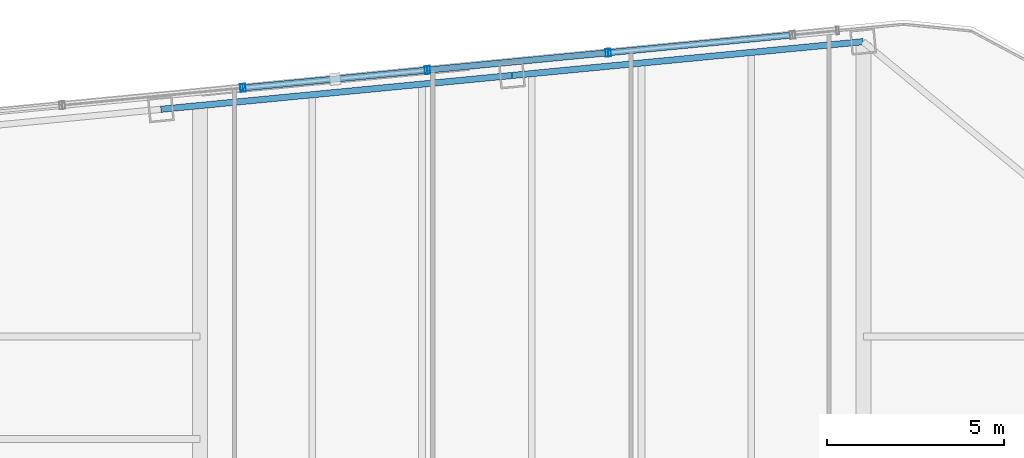
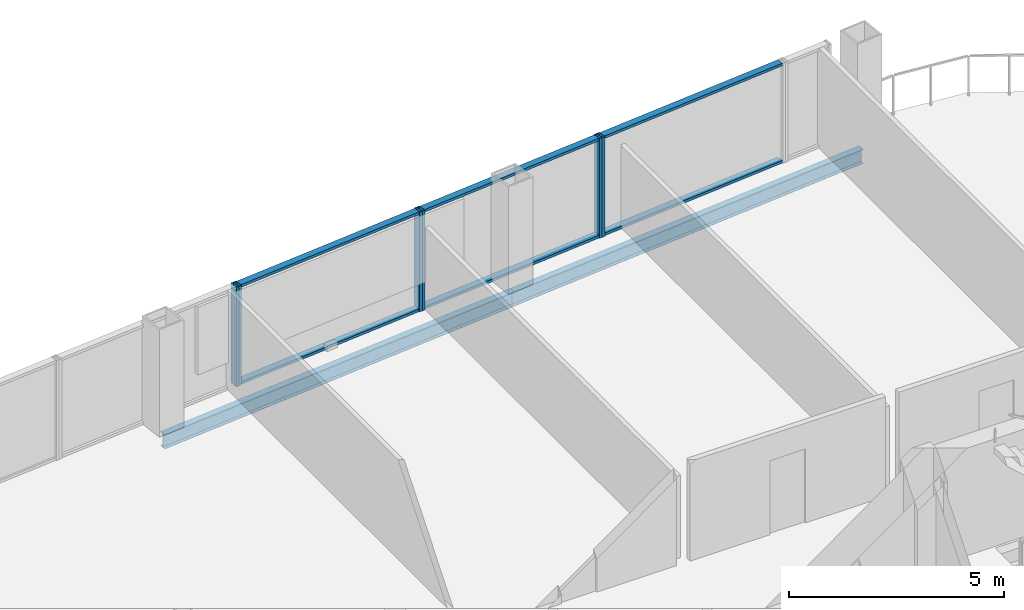
# One storey, part 14 of 22: 12 members, 2 beams, 4 elements without a shape of their own.
"""IFC4 building model written with IfcOpenShell, lengths in metres."""

from ifc_helpers import new_model, si_unit, direction, frame, origin, origin_2d, place, context, subcontext, project, spatial, hollow_rectangle, i_section, extrude, material, layer, layer_set, material_profile, profile_set, type_object, element, aggregate, save


model = new_model("IFC4")

# Units and contexts
model_context = context("Model", 3, precision=1e-05, world=origin(), true_north=direction((0.0, 1.0)))
body_context = subcontext(model_context, "Body", "Model", "MODEL_VIEW")
ifc_project = project(units=[si_unit("LENGTHUNIT", "METRE"), si_unit("AREAUNIT", "SQUARE_METRE"), si_unit("VOLUMEUNIT", "CUBIC_METRE"), si_unit("PLANEANGLEUNIT", "RADIAN"), si_unit("MASSUNIT", "GRAM", prefix="KILO")], contexts=[model_context])

# Site, building, storey
site_placement = place(None, origin())
site = spatial("IfcSite", under=ifc_project, at=site_placement, CompositionType="ELEMENT")
building_placement = place(site_placement, origin())
building = spatial("IfcBuilding", under=site, at=building_placement, Name="Qhalaya Broadcast Tower", CompositionType="ELEMENT")
storey_placement = place(building_placement, frame((0.0, 0.0, 165.300048828125)))
storey = spatial("IfcBuildingStorey", under=building, at=storey_placement, Name="L48", CompositionType="ELEMENT", Elevation=165.300048828125)

# Curtain wall, member
ifc_material_1 = material(Name="Fired Architectural Terracotta", Category="masonry")
ifc_layer_1 = layer(ifc_material_1, 0.219970703125, Name="Fired Architectural Terracotta")
ifc_layer_set_1 = layer_set([ifc_layer_1], Name="Fired Architectural Terracotta")
curtain_wall_type_1 = type_object("IfcCurtainWallType", Name="Block-Cap Unitised Terracotta Spandrel Wall CW-07", PredefinedType="NOTDEFINED", material=ifc_layer_set_1)
curtain_wall_1_placement = place(storey_placement, origin())
curtain_wall_1 = element("IfcCurtainWall", 1, at=curtain_wall_1_placement, inside=storey, type_object=curtain_wall_type_1, Name="L48 Unitised Curtain Wall L48-CW-N2", PredefinedType="NOTDEFINED")
ifc_material_2 = material(Name="Anodised Aluminium 6063-T6", Category="aluminium")
ifc_material_profile_1 = material_profile(ifc_material_2, hollow_rectangle(XDim=0.074951171875, YDim=0.219970703125, WallThickness=0.00390625, at=origin_2d()), Name="ALU-MUL 75x220x4")
ifc_profile_set_1 = profile_set([ifc_material_profile_1], Name="Anodised Aluminium 6063-T6")
member_type_1 = type_object("IfcMemberType", Name="Unitised Curtain-Wall Mullion M01", PredefinedType="MULLION", material=ifc_profile_set_1)
member_1_placement = place(storey_placement, frame((2.195068359375, 25.219482421875, 0.0), z_axis=(0.0, 0.0, 1.0), x_axis=(-0.995395267059, -0.095855424032, 0.0)))
member_1 = element("IfcMember", 2, at=member_1_placement, type_object=member_type_1, Name="CW-07 mullion 2", PredefinedType="MULLION", context=body_context, shape_type="SweptSolid", body=[
    extrude(hollow_rectangle(XDim=0.074951171875, YDim=0.219970703125, WallThickness=0.00390625, at=origin_2d()), origin(), (0.0, 0.0, 1.0), 2.829833984375),
])

# Curtain wall, members
ifc_material_3 = material(Name="Solar-Control Low-E Triple Glazing", Category="glass")
ifc_layer_2 = layer(ifc_material_3, 0.219970703125, Name="Solar-Control Low-E Triple Glazing")
ifc_layer_set_2 = layer_set([ifc_layer_2], Name="Solar-Control Low-E Triple Glazing")
curtain_wall_type_2 = type_object("IfcCurtainWallType", Name="Even-Block 4-Storey Double-Module Curtain Wall CW-03", PredefinedType="NOTDEFINED", material=ifc_layer_set_2)
curtain_wall_2_placement = place(storey_placement, origin())
curtain_wall_2 = element("IfcCurtainWall", 3, at=curtain_wall_2_placement, inside=storey, type_object=curtain_wall_type_2, Name="L48 Unitised Curtain Wall L48-CW-N3", PredefinedType="NOTDEFINED")
member_2_placement = place(storey_placement, frame((2.120361328125, 25.21240234375, 0.0), z_axis=(0.0, 0.0, 1.0), x_axis=(-0.995395950784, -0.095848323733, 0.0)))
member_2 = element("IfcMember", 4, at=member_2_placement, type_object=member_type_1, Name="CW-03 mullion 1", PredefinedType="MULLION", context=body_context, shape_type="SweptSolid", body=[
    extrude(hollow_rectangle(XDim=0.074951171875, YDim=0.219970703125, WallThickness=0.00390625, at=origin_2d()), origin(), (0.0, 0.0, 1.0), 2.829833984375),
])
member_3_placement = place(storey_placement, frame((-2.912353515625, 24.727783203125, 0.0), z_axis=(0.0, 0.0, 1.0), x_axis=(-0.995395950784, -0.095848323733, 0.0)))
member_3 = element("IfcMember", 5, at=member_3_placement, type_object=member_type_1, Name="CW-03 mullion 2", PredefinedType="MULLION", context=body_context, shape_type="SweptSolid", body=[
    extrude(hollow_rectangle(XDim=0.074951171875, YDim=0.219970703125, WallThickness=0.00390625, at=origin_2d()), origin(), (0.0, 0.0, 1.0), 2.829833984375),
])

curtain_wall_3_placement = place(storey_placement, origin())
curtain_wall_3 = element("IfcCurtainWall", 6, at=curtain_wall_3_placement, inside=storey, type_object=curtain_wall_type_1, Name="L48 Unitised Curtain Wall L48-CW-N4", PredefinedType="NOTDEFINED")
member_4_placement = place(storey_placement, frame((-2.987060546875, 24.720458984375, 0.0), z_axis=(0.0, 0.0, 1.0), x_axis=(-0.995397089148, -0.095836500956, 0.0)))
member_4 = element("IfcMember", 7, at=member_4_placement, type_object=member_type_1, Name="CW-07 mullion 1", PredefinedType="MULLION", context=body_context, shape_type="SweptSolid", body=[
    extrude(hollow_rectangle(XDim=0.074951171875, YDim=0.219970703125, WallThickness=0.00390625, at=origin_2d()), origin(), (0.0, 0.0, 1.0), 2.829833984375),
])
member_5_placement = place(storey_placement, frame((-8.124267578125, 24.225830078125, 0.0), z_axis=(0.0, 0.0, 1.0), x_axis=(-0.995397089148, -0.095836500956, 0.0)))
member_5 = element("IfcMember", 8, at=member_5_placement, type_object=member_type_1, Name="CW-07 mullion 2", PredefinedType="MULLION", context=body_context, shape_type="SweptSolid", body=[
    extrude(hollow_rectangle(XDim=0.074951171875, YDim=0.219970703125, WallThickness=0.00390625, at=origin_2d()), origin(), (0.0, 0.0, 1.0), 2.829833984375),
])

# Curtain wall, member
curtain_wall_4_placement = place(storey_placement, origin())
curtain_wall_4 = element("IfcCurtainWall", 9, at=curtain_wall_4_placement, inside=storey, type_object=curtain_wall_type_2, Name="L48 Unitised Curtain Wall L48-CW-N5", PredefinedType="NOTDEFINED")
member_6_placement = place(storey_placement, frame((-8.198974609375, 24.21875, 0.0), z_axis=(0.0, 0.0, 1.0), x_axis=(-0.995395950784, -0.095848323733, 0.0)))
member_6 = element("IfcMember", 10, at=member_6_placement, type_object=member_type_1, Name="CW-03 mullion 1", PredefinedType="MULLION", context=body_context, shape_type="SweptSolid", body=[
    extrude(hollow_rectangle(XDim=0.074951171875, YDim=0.219970703125, WallThickness=0.00390625, at=origin_2d()), origin(), (0.0, 0.0, 1.0), 2.829833984375),
])
aggregate(curtain_wall_4, [member_6])

# Member
ifc_material_profile_2 = material_profile(ifc_material_2, hollow_rectangle(XDim=0.074951171875, YDim=0.179931640625, WallThickness=0.00390625, at=origin_2d()), Name="ALU-TRN 75x180x4")
ifc_profile_set_2 = profile_set([ifc_material_profile_2], Name="Anodised Aluminium 6063-T6")
member_type_2 = type_object("IfcMemberType", Name="Unitised Curtain-Wall Transom T01", PredefinedType="USERDEFINED", material=ifc_profile_set_2)
member_7_placement = place(storey_placement, frame((7.294921875, 25.710693359375, 0.037353515625), z_axis=(-0.995394593967, -0.095862413395, 0.0), x_axis=(0.0, 0.0, 1.0)))
member_7 = element("IfcMember", 11, at=member_7_placement, type_object=member_type_2, Name="CW-07 transom 1.1", ObjectType="TRANSOM", PredefinedType="USERDEFINED", context=body_context, shape_type="SweptSolid", body=[
    extrude(hollow_rectangle(XDim=0.074951171875, YDim=0.179931640625, WallThickness=0.00390625, at=origin_2d()), origin(), (0.0, 0.0, 1.0), 5.0859375),
])

member_8_placement = place(storey_placement, frame((7.294921875, 25.710693359375, 2.79248046875), z_axis=(-0.995394593967, -0.095862413395, 0.0), x_axis=(0.0, 0.0, 1.0)))
member_8 = element("IfcMember", 12, at=member_8_placement, type_object=member_type_2, Name="CW-07 transom 1.2", ObjectType="TRANSOM", PredefinedType="USERDEFINED", context=body_context, shape_type="SweptSolid", body=[
    extrude(hollow_rectangle(XDim=0.074951171875, YDim=0.179931640625, WallThickness=0.00390625, at=origin_2d()), origin(), (0.0, 0.0, 1.0), 5.0859375),
])

aggregate(curtain_wall_1, [member_1, member_7, member_8])

member_9_placement = place(storey_placement, frame((2.0830078125, 25.208740234375, 0.037353515625), z_axis=(-0.995393569905, -0.095873046225, 0.0), x_axis=(0.0, 0.0, 1.0)))
member_9 = element("IfcMember", 13, at=member_9_placement, type_object=member_type_2, Name="CW-03 transom 1.1", ObjectType="TRANSOM", PredefinedType="USERDEFINED", context=body_context, shape_type="SweptSolid", body=[
    extrude(hollow_rectangle(XDim=0.074951171875, YDim=0.179931640625, WallThickness=0.00390625, at=origin_2d()), origin(), (0.0, 0.0, 1.0), 4.98095703125),
])

member_10_placement = place(storey_placement, frame((2.0830078125, 25.208740234375, 2.79248046875), z_axis=(-0.995393569905, -0.095873046225, 0.0), x_axis=(0.0, 0.0, 1.0)))
member_10 = element("IfcMember", 14, at=member_10_placement, type_object=member_type_2, Name="CW-03 transom 1.2", ObjectType="TRANSOM", PredefinedType="USERDEFINED", context=body_context, shape_type="SweptSolid", body=[
    extrude(hollow_rectangle(XDim=0.074951171875, YDim=0.179931640625, WallThickness=0.00390625, at=origin_2d()), origin(), (0.0, 0.0, 1.0), 4.98095703125),
])

aggregate(curtain_wall_2, [member_2, member_3, member_9, member_10])

member_11_placement = place(storey_placement, frame((-3.0244140625, 24.716796875, 0.037353515625), z_axis=(-0.995399173362, -0.095814850985, 0.0), x_axis=(0.0, 0.0, 1.0)))
member_11 = element("IfcMember", 15, at=member_11_placement, type_object=member_type_2, Name="CW-07 transom 1.1", ObjectType="TRANSOM", PredefinedType="USERDEFINED", context=body_context, shape_type="SweptSolid", body=[
    extrude(hollow_rectangle(XDim=0.074951171875, YDim=0.179931640625, WallThickness=0.00390625, at=origin_2d()), origin(), (0.0, 0.0, 1.0), 5.0859375),
])

member_12_placement = place(storey_placement, frame((-3.0244140625, 24.716796875, 2.79248046875), z_axis=(-0.995399173362, -0.095814850985, 0.0), x_axis=(0.0, 0.0, 1.0)))
member_12 = element("IfcMember", 16, at=member_12_placement, type_object=member_type_2, Name="CW-07 transom 1.2", ObjectType="TRANSOM", PredefinedType="USERDEFINED", context=body_context, shape_type="SweptSolid", body=[
    extrude(hollow_rectangle(XDim=0.074951171875, YDim=0.179931640625, WallThickness=0.00390625, at=origin_2d()), origin(), (0.0, 0.0, 1.0), 5.0859375),
])

aggregate(curtain_wall_3, [member_4, member_5, member_11, member_12])

# Beams
ifc_material_4 = material(Name="Structural Steel ASTM A992 Grade 50", Category="steel")
ifc_material_profile_3 = material_profile(ifc_material_4, i_section(OverallWidth=0.177978515625, OverallDepth=0.406005859375, WebThickness=0.0078125, FlangeThickness=0.0126953125, at=origin_2d()), Name="W16X40")
ifc_profile_set_3 = profile_set([ifc_material_profile_3], Name="Structural Steel ASTM A992 Grade 50")
beam_type = type_object("IfcBeamType", Name="Upper Perimeter Spandrel Beam SP2", PredefinedType="SPANDREL", material=ifc_profile_set_3)
beam_1_placement = place(storey_placement, frame((9.362060546875, 25.52783203125, -0.423095703125), z_axis=(-0.99539573508, -0.095850563819, 0.0), x_axis=(0.095850563819, -0.99539573508, 0.0)))
element("IfcBeam", 17, at=beam_1_placement, inside=storey, type_object=beam_type, Name="L48 SP2 L48-SPR-09", PredefinedType="SPANDREL", context=body_context, shape_type="SweptSolid", body=[
    extrude(i_section(OverallWidth=0.177978515625, OverallDepth=0.406005859375, WebThickness=0.0078125, FlangeThickness=0.0126953125, at=origin_2d()), origin(), (0.0, 0.0, 1.0), 9.966796875),
])
beam_2_placement = place(storey_placement, frame((-0.558837890625, 24.572509765625, -0.423095703125), z_axis=(-0.995395510024, -0.095852900965, 0.0), x_axis=(0.095852900965, -0.995395510024, 0.0)))
element("IfcBeam", 18, at=beam_2_placement, inside=storey, type_object=beam_type, Name="L48 SP2 L48-SPR-10", PredefinedType="SPANDREL", context=body_context, shape_type="SweptSolid", body=[
    extrude(i_section(OverallWidth=0.177978515625, OverallDepth=0.406005859375, WebThickness=0.0078125, FlangeThickness=0.0126953125, at=origin_2d()), origin(), (0.0, 0.0, 1.0), 9.966552734375),
])

save(model, "model.ifc")
